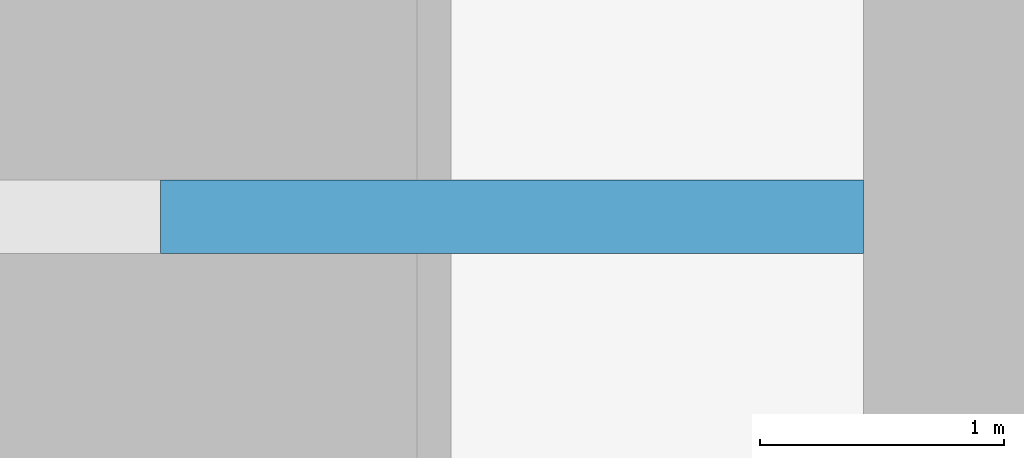
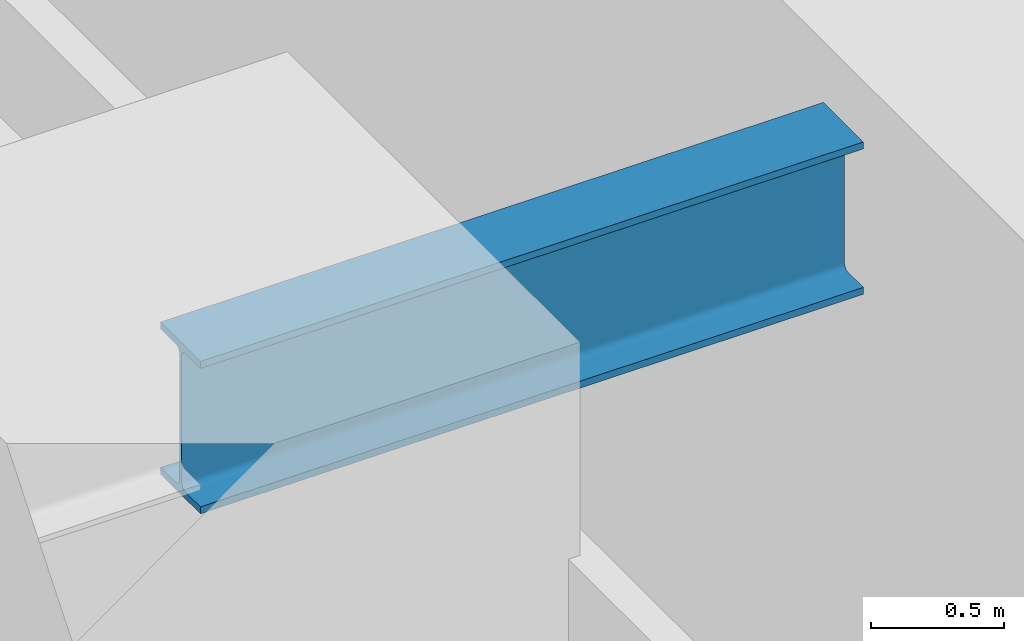
# One storey, part 7 of 30: 1 beam.
"""IFC4 building model written with IfcOpenShell, lengths in metres."""

import ifcopenshell
import ifcopenshell.guid

model = None  # the IFC model being written
_history = None  # IfcOwnerHistory: only IFC2X3 demands one
_inside = {}  # id of a spatial element -> (the spatial element, [elements in it])
_under = {}  # id of a project, library or spatial element -> (it, [spatial elements below it])
_declared = {}  # id of a project -> (the project, [libraries it declares])
_typed = {}  # id of a type object -> (the type object, [elements of that type])
_made_of = {}  # id of a material, layer set ... -> (it, [elements and type objects made of it])


def new_model(schema):
    """Start an empty IFC model of exactly this schema.

    Asked for "IFC4X3", IfcOpenShell would pick the latest addendum, in which some entities
    have other attributes; the version numbers below select the first issue.
    IFC2X3 requires an IfcOwnerHistory on every rooted entity: one is made here for all.
    """
    global model, _history
    if schema == "IFC4X3":
        model = ifcopenshell.file(schema_version=(4, 3, 0, 0))
    else:
        model = ifcopenshell.file(schema=schema)
    _inside.clear()
    _under.clear()
    _declared.clear()
    _typed.clear()
    _made_of.clear()
    _history = None
    if model.schema == "IFC2X3":
        org = make("IfcOrganization", Name="unknown")
        user = make(
            "IfcPersonAndOrganization",
            ThePerson=make("IfcPerson", FamilyName="unknown"),
            TheOrganization=org,
        )
        app = make(
            "IfcApplication",
            ApplicationDeveloper=org,
            Version="unknown",
            ApplicationFullName="unknown",
            ApplicationIdentifier="unknown",
        )
        _history = make(
            "IfcOwnerHistory",
            OwningUser=user,
            OwningApplication=app,
            ChangeAction="ADDED",
            CreationDate=0,
        )
    return model


def make(cls, **values):
    """One entity of the class cls with the attributes given. An attribute that is None is left unset."""
    return model.create_entity(
        cls, **{name: value for name, value in values.items() if value is not None}
    )


def rooted(cls, **values):
    """An entity with a GlobalId (a new one), such as an element, a storey or a relation."""
    return make(cls, GlobalId=ifcopenshell.guid.new(), OwnerHistory=_history, **values)


def si_unit(unit_type, name, prefix=None):
    """IfcSIUnit, for example si_unit("LENGTHUNIT", "METRE", prefix="MILLI")."""
    return make("IfcSIUnit", UnitType=unit_type, Prefix=prefix, Name=name)


def assignment(units):
    """IfcUnitAssignment: the units of a project."""
    return None if units is None else make("IfcUnitAssignment", Units=units)


def point(xyz):
    """IfcCartesianPoint."""
    return None if xyz is None else make("IfcCartesianPoint", Coordinates=xyz)


def direction(xyz):
    """IfcDirection."""
    return None if xyz is None else make("IfcDirection", DirectionRatios=xyz)


def frame(location, z_axis=None, x_axis=None):
    """IfcAxis2Placement3D, a coordinate frame: its origin and axes. An axis left out is left unset."""
    return make(
        "IfcAxis2Placement3D",
        Location=point(location),
        Axis=direction(z_axis),
        RefDirection=direction(x_axis),
    )


def frame_2d(location, x_axis=None):
    """IfcAxis2Placement2D, a coordinate frame in the plane: its origin and x axis."""
    return make(
        "IfcAxis2Placement2D", Location=point(location), RefDirection=direction(x_axis)
    )


def origin():
    """The frame at (0, 0, 0) with its axes left unset."""
    return frame((0.0, 0.0, 0.0))


def origin_2d():
    """The frame at (0, 0) in the plane with its x axis left unset."""
    return frame_2d((0.0, 0.0))


def place(relative_to, where):
    """IfcLocalPlacement: puts the frame where relative to a parent placement (None: the world)."""
    return make(
        "IfcLocalPlacement", PlacementRelTo=relative_to, RelativePlacement=where
    )


def context(
    kind, dimensions, precision=None, world=None, true_north=None, identifier=None
):
    """IfcGeometricRepresentationContext, for example the 3D "Model" context."""
    return make(
        "IfcGeometricRepresentationContext",
        ContextIdentifier=identifier,
        ContextType=kind,
        CoordinateSpaceDimension=dimensions,
        Precision=precision,
        WorldCoordinateSystem=world,
        TrueNorth=true_north,
    )


def subcontext(parent, identifier, kind, view, scale=None):
    """IfcGeometricRepresentationSubContext, for example "Body" below "Model"."""
    return make(
        "IfcGeometricRepresentationSubContext",
        ContextIdentifier=identifier,
        ContextType=kind,
        ParentContext=parent,
        TargetScale=scale,
        TargetView=view,
    )


def project(units=None, contexts=None):
    """IfcProject with its units and contexts."""
    return rooted(
        "IfcProject",
        Name="project",
        RepresentationContexts=contexts,
        UnitsInContext=assignment(units),
    )


def spatial(cls, under=None, at=None, **own):
    """A site, building, storey or space (cls), placed at a placement, below another one or the project."""
    s = rooted(cls, ObjectPlacement=at, **own)
    if under is not None:
        _under.setdefault(under.id(), (under, []))[1].append(s)
    return s


def profile(cls, at=None, kind="AREA", **sizes):
    """A parametric profile (cls). Its sizes go by their IFC names, for example OverallWidth=200.0."""
    return make(cls, ProfileType=kind, Position=at, **sizes)


def i_section(**sizes):
    """IfcIShapeProfileDef."""
    return profile("IfcIShapeProfileDef", **sizes)


def extrude(swept, where, along, depth):
    """IfcExtrudedAreaSolid: the profile swept, set in the frame where, extruded along a direction by depth."""
    return make(
        "IfcExtrudedAreaSolid",
        SweptArea=swept,
        Position=where,
        ExtrudedDirection=direction(along),
        Depth=depth,
    )


def shape(context_of_items, identifier, shape_type, items):
    """IfcShapeRepresentation: the items that make up one representation, for example the "Body"."""
    return make(
        "IfcShapeRepresentation",
        ContextOfItems=context_of_items,
        RepresentationIdentifier=identifier,
        RepresentationType=shape_type,
        Items=items,
    )


def source(mapping_origin, context_of_items, identifier, shape_type, items):
    """IfcRepresentationMap: a shape defined once, which mapped items show again and again."""
    return make(
        "IfcRepresentationMap",
        MappingOrigin=mapping_origin,
        MappedRepresentation=shape(context_of_items, identifier, shape_type, items),
    )


def transform(
    local_origin,
    x_axis=None,
    y_axis=None,
    z_axis=None,
    scale=None,
    scale2=None,
    scale3=None,
    uniform=True,
):
    """IfcCartesianTransformationOperator3D, or its non-uniform kind. x_axis, y_axis, z_axis: its Axis1, 2, 3."""
    if uniform:
        return make(
            "IfcCartesianTransformationOperator3D",
            Axis1=direction(x_axis),
            Axis2=direction(y_axis),
            LocalOrigin=point(local_origin),
            Scale=scale,
            Axis3=direction(z_axis),
        )
    return make(
        "IfcCartesianTransformationOperator3DnonUniform",
        Axis1=direction(x_axis),
        Axis2=direction(y_axis),
        LocalOrigin=point(local_origin),
        Scale=scale,
        Axis3=direction(z_axis),
        Scale2=scale2,
        Scale3=scale3,
    )


def mapped(mapping_source, mapping_target):
    """IfcMappedItem: shows the shape of a source again, moved by a transform."""
    return make(
        "IfcMappedItem", MappingSource=mapping_source, MappingTarget=mapping_target
    )


def material(Name=None, Category=None):
    """IfcMaterial."""
    return make("IfcMaterial", Name=Name, Category=Category)


def material_profile(
    of_material, cross_section, Name=None, Category=None, Priority=None
):
    """IfcMaterialProfile: a cross section and its material."""
    return make(
        "IfcMaterialProfile",
        Name=Name,
        Material=of_material,
        Profile=cross_section,
        Priority=Priority,
        Category=Category,
    )


def profile_set(profiles, Name=None, composite=None):
    """IfcMaterialProfileSet."""
    return make(
        "IfcMaterialProfileSet",
        Name=Name,
        MaterialProfiles=profiles,
        CompositeProfile=composite,
    )


def made_of(thing, what):
    """Note that an element or type object is made of a material, layer set ...; save() writes the relation."""
    if what is not None:
        _made_of.setdefault(what.id(), (what, []))[1].append(thing)
    return thing


def type_object(cls, material=None, **own):
    """A type object (cls), such as IfcWallType, which elements share."""
    return made_of(rooted(cls, **own), material)


def type_shapes(of_type, sources):
    """Give a type object the sources (RepresentationMaps) that its elements show as mapped items."""
    of_type.RepresentationMaps = sources


def element(
    cls,
    number,
    at=None,
    inside=None,
    cuts=None,
    type_object=None,
    material=None,
    context=None,
    identifier="Body",
    shape_type=None,
    held_by="IfcProductDefinitionShape",
    body=None,
    shapes=None,
    **own,
):
    """One element of the class cls, such as IfcWall. Its Tag is "e" and its number.

    at: its placement. inside: the storey or other place that contains it. cuts: it is an
    opening in that element (IfcRelVoidsElement). A single representation is given by context,
    identifier, shape_type and body (its items); several are given by shapes. held_by: the class
    of the entity that holds the representations. save() writes the other relations.
    """
    e = rooted(cls, Tag="e%d" % number, ObjectPlacement=at, **own)
    if body is not None:
        shapes = [shape(context, identifier, shape_type, body)]
    if shapes is not None:
        e.Representation = make(held_by, Representations=shapes)
    if inside is not None:
        _inside.setdefault(inside.id(), (inside, []))[1].append(e)
    if cuts is not None:
        rooted(
            "IfcRelVoidsElement", RelatingBuildingElement=cuts, RelatedOpeningElement=e
        )
    if type_object is not None:
        _typed.setdefault(type_object.id(), (type_object, []))[1].append(e)
    return made_of(e, material)


def aggregate(whole, parts):
    """IfcRelAggregates: a whole, such as a stair, and the parts it consists of."""
    return rooted("IfcRelAggregates", RelatingObject=whole, RelatedObjects=parts)


def save(model, path):
    """Write the relations noted so far, then the file.

    IfcRelAggregates (storeys below a building ...), IfcRelContainedInSpatialStructure (elements
    in a storey), IfcRelDefinesByType, IfcRelAssociatesMaterial and IfcRelDeclares: one each for
    every whole, place, type object, material and project.
    """
    for whole, parts in _under.values():
        aggregate(whole, parts)
    for where, things in _inside.values():
        rooted(
            "IfcRelContainedInSpatialStructure",
            RelatedElements=things,
            RelatingStructure=where,
        )
    for kind, things in _typed.values():
        rooted("IfcRelDefinesByType", RelatedObjects=things, RelatingType=kind)
    for what, things in _made_of.values():
        rooted("IfcRelAssociatesMaterial", RelatedObjects=things, RelatingMaterial=what)
    for by, libraries in _declared.values():
        rooted("IfcRelDeclares", RelatingContext=by, RelatedDefinitions=libraries)
    model.write(path)


model = new_model("IFC4")

# Units and contexts
model_context = context("Model", 3, precision=1e-05, world=origin(), true_north=direction((0.0, 1.0)))
body_context = subcontext(model_context, "Body", "Model", "MODEL_VIEW")
ifc_project = project(units=[si_unit("LENGTHUNIT", "METRE"), si_unit("AREAUNIT", "SQUARE_METRE"), si_unit("VOLUMEUNIT", "CUBIC_METRE"), si_unit("PLANEANGLEUNIT", "RADIAN"), si_unit("MASSUNIT", "GRAM", prefix="KILO")], contexts=[model_context])

# Site, building, storey
site_placement = place(None, origin())
site = spatial("IfcSite", under=ifc_project, at=site_placement, CompositionType="ELEMENT")
building_placement = place(site_placement, origin())
building = spatial("IfcBuilding", under=site, at=building_placement, Name="Krantzveldt Concourse Tower", CompositionType="ELEMENT")
storey_placement = place(building_placement, frame((0.0, 0.0, 44.75)))
storey = spatial("IfcBuildingStorey", under=building, at=storey_placement, Name="L10", CompositionType="ELEMENT", Elevation=44.75)

# Beam
ifc_material = material(Name="Steel S355J2", Category="steel")
ifc_material_profile = material_profile(ifc_material, i_section(OverallWidth=0.300048828125, OverallDepth=0.699951171875, WebThickness=0.01708984375, FlangeThickness=0.031982421875, FilletRadius=0.027099609375, at=origin_2d()), Name="Steel S355J2", Category="steel")
ifc_profile_set = profile_set([ifc_material_profile], Name="Steel S355J2 - HEB 700")
beam_type = type_object("IfcBeamType", Name="BM-B-HEB700", PredefinedType="BEAM", material=ifc_profile_set)
shared_shape = source(origin(), body_context, "Body", "SweptSolid", [
    extrude(i_section(OverallWidth=0.300048828125, OverallDepth=0.699951171875, WebThickness=0.01708984375, FlangeThickness=0.031982421875, FilletRadius=0.027099609375, at=origin_2d()), origin(), (0.0, 0.0, 1.0), 2.880126953125),
])
type_shapes(beam_type, [shared_shape])
beam_placement = place(storey_placement, frame((25.199951171875, 15.89990234375, 3.320068359375), z_axis=(1.0, 0.0, 0.0), x_axis=(0.0, 1.0, 0.0)))
element("IfcBeam", 1, at=beam_placement, inside=storey, type_object=beam_type, Name="L10 Tower Girder BG-CW1", PredefinedType="BEAM", context=body_context, shape_type="MappedRepresentation", body=[
    mapped(shared_shape, transform((0.0, 0.0, 0.0), x_axis=(1.0, 0.0, 0.0), y_axis=(0.0, 1.0, 0.0), z_axis=(0.0, 0.0, 1.0), scale=1.0)),
])

save(model, "model.ifc")
